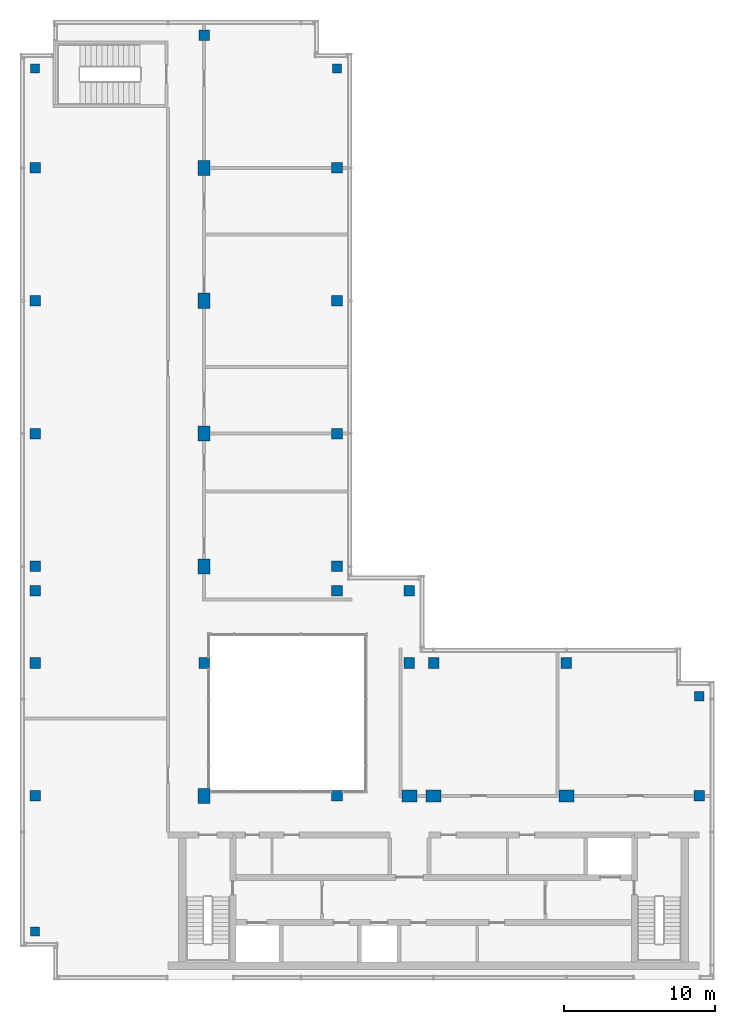
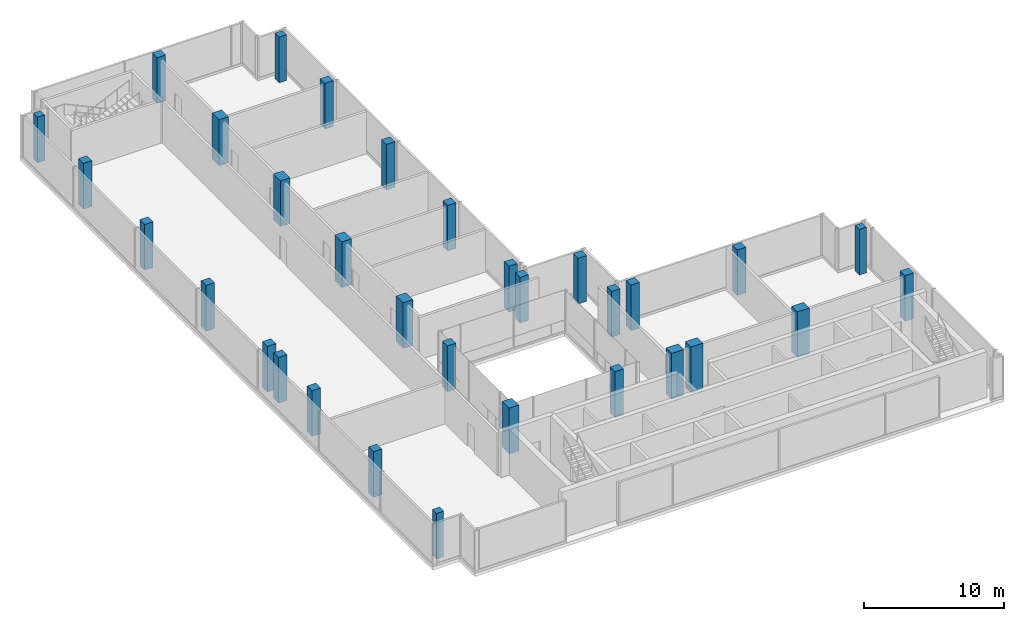
# One storey, part 1 of 11: 32 columns.
"""IFC4 building model written with IfcOpenShell, lengths in metres."""

import ifcopenshell
import ifcopenshell.guid

model = None  # the IFC model being written
_history = None  # IfcOwnerHistory: only IFC2X3 demands one
_inside = {}  # id of a spatial element -> (the spatial element, [elements in it])
_under = {}  # id of a project, library or spatial element -> (it, [spatial elements below it])
_declared = {}  # id of a project -> (the project, [libraries it declares])
_typed = {}  # id of a type object -> (the type object, [elements of that type])
_made_of = {}  # id of a material, layer set ... -> (it, [elements and type objects made of it])


def new_model(schema):
    """Start an empty IFC model of exactly this schema.

    Asked for "IFC4X3", IfcOpenShell would pick the latest addendum, in which some entities
    have other attributes; the version numbers below select the first issue.
    IFC2X3 requires an IfcOwnerHistory on every rooted entity: one is made here for all.
    """
    global model, _history
    if schema == "IFC4X3":
        model = ifcopenshell.file(schema_version=(4, 3, 0, 0))
    else:
        model = ifcopenshell.file(schema=schema)
    _inside.clear()
    _under.clear()
    _declared.clear()
    _typed.clear()
    _made_of.clear()
    _history = None
    if model.schema == "IFC2X3":
        org = make("IfcOrganization", Name="unknown")
        user = make(
            "IfcPersonAndOrganization",
            ThePerson=make("IfcPerson", FamilyName="unknown"),
            TheOrganization=org,
        )
        app = make(
            "IfcApplication",
            ApplicationDeveloper=org,
            Version="unknown",
            ApplicationFullName="unknown",
            ApplicationIdentifier="unknown",
        )
        _history = make(
            "IfcOwnerHistory",
            OwningUser=user,
            OwningApplication=app,
            ChangeAction="ADDED",
            CreationDate=0,
        )
    return model


def make(cls, **values):
    """One entity of the class cls with the attributes given. An attribute that is None is left unset."""
    return model.create_entity(
        cls, **{name: value for name, value in values.items() if value is not None}
    )


def rooted(cls, **values):
    """An entity with a GlobalId (a new one), such as an element, a storey or a relation."""
    return make(cls, GlobalId=ifcopenshell.guid.new(), OwnerHistory=_history, **values)


def si_unit(unit_type, name, prefix=None):
    """IfcSIUnit, for example si_unit("LENGTHUNIT", "METRE", prefix="MILLI")."""
    return make("IfcSIUnit", UnitType=unit_type, Prefix=prefix, Name=name)


def assignment(units):
    """IfcUnitAssignment: the units of a project."""
    return None if units is None else make("IfcUnitAssignment", Units=units)


def point(xyz):
    """IfcCartesianPoint."""
    return None if xyz is None else make("IfcCartesianPoint", Coordinates=xyz)


def direction(xyz):
    """IfcDirection."""
    return None if xyz is None else make("IfcDirection", DirectionRatios=xyz)


def frame(location, z_axis=None, x_axis=None):
    """IfcAxis2Placement3D, a coordinate frame: its origin and axes. An axis left out is left unset."""
    return make(
        "IfcAxis2Placement3D",
        Location=point(location),
        Axis=direction(z_axis),
        RefDirection=direction(x_axis),
    )


def frame_2d(location, x_axis=None):
    """IfcAxis2Placement2D, a coordinate frame in the plane: its origin and x axis."""
    return make(
        "IfcAxis2Placement2D", Location=point(location), RefDirection=direction(x_axis)
    )


def origin():
    """The frame at (0, 0, 0) with its axes left unset."""
    return frame((0.0, 0.0, 0.0))


def origin_2d():
    """The frame at (0, 0) in the plane with its x axis left unset."""
    return frame_2d((0.0, 0.0))


def place(relative_to, where):
    """IfcLocalPlacement: puts the frame where relative to a parent placement (None: the world)."""
    return make(
        "IfcLocalPlacement", PlacementRelTo=relative_to, RelativePlacement=where
    )


def context(
    kind, dimensions, precision=None, world=None, true_north=None, identifier=None
):
    """IfcGeometricRepresentationContext, for example the 3D "Model" context."""
    return make(
        "IfcGeometricRepresentationContext",
        ContextIdentifier=identifier,
        ContextType=kind,
        CoordinateSpaceDimension=dimensions,
        Precision=precision,
        WorldCoordinateSystem=world,
        TrueNorth=true_north,
    )


def subcontext(parent, identifier, kind, view, scale=None):
    """IfcGeometricRepresentationSubContext, for example "Body" below "Model"."""
    return make(
        "IfcGeometricRepresentationSubContext",
        ContextIdentifier=identifier,
        ContextType=kind,
        ParentContext=parent,
        TargetScale=scale,
        TargetView=view,
    )


def project(units=None, contexts=None):
    """IfcProject with its units and contexts."""
    return rooted(
        "IfcProject",
        Name="project",
        RepresentationContexts=contexts,
        UnitsInContext=assignment(units),
    )


def spatial(cls, under=None, at=None, **own):
    """A site, building, storey or space (cls), placed at a placement, below another one or the project."""
    s = rooted(cls, ObjectPlacement=at, **own)
    if under is not None:
        _under.setdefault(under.id(), (under, []))[1].append(s)
    return s


def profile(cls, at=None, kind="AREA", **sizes):
    """A parametric profile (cls). Its sizes go by their IFC names, for example OverallWidth=200.0."""
    return make(cls, ProfileType=kind, Position=at, **sizes)


def rectangle(**sizes):
    """IfcRectangleProfileDef."""
    return profile("IfcRectangleProfileDef", **sizes)


def extrude(swept, where, along, depth):
    """IfcExtrudedAreaSolid: the profile swept, set in the frame where, extruded along a direction by depth."""
    return make(
        "IfcExtrudedAreaSolid",
        SweptArea=swept,
        Position=where,
        ExtrudedDirection=direction(along),
        Depth=depth,
    )


def shape(context_of_items, identifier, shape_type, items):
    """IfcShapeRepresentation: the items that make up one representation, for example the "Body"."""
    return make(
        "IfcShapeRepresentation",
        ContextOfItems=context_of_items,
        RepresentationIdentifier=identifier,
        RepresentationType=shape_type,
        Items=items,
    )


def material(Name=None, Category=None):
    """IfcMaterial."""
    return make("IfcMaterial", Name=Name, Category=Category)


def material_profile(
    of_material, cross_section, Name=None, Category=None, Priority=None
):
    """IfcMaterialProfile: a cross section and its material."""
    return make(
        "IfcMaterialProfile",
        Name=Name,
        Material=of_material,
        Profile=cross_section,
        Priority=Priority,
        Category=Category,
    )


def profile_set(profiles, Name=None, composite=None):
    """IfcMaterialProfileSet."""
    return make(
        "IfcMaterialProfileSet",
        Name=Name,
        MaterialProfiles=profiles,
        CompositeProfile=composite,
    )


def made_of(thing, what):
    """Note that an element or type object is made of a material, layer set ...; save() writes the relation."""
    if what is not None:
        _made_of.setdefault(what.id(), (what, []))[1].append(thing)
    return thing


def type_object(cls, material=None, **own):
    """A type object (cls), such as IfcWallType, which elements share."""
    return made_of(rooted(cls, **own), material)


def element(
    cls,
    number,
    at=None,
    inside=None,
    cuts=None,
    type_object=None,
    material=None,
    context=None,
    identifier="Body",
    shape_type=None,
    held_by="IfcProductDefinitionShape",
    body=None,
    shapes=None,
    **own,
):
    """One element of the class cls, such as IfcWall. Its Tag is "e" and its number.

    at: its placement. inside: the storey or other place that contains it. cuts: it is an
    opening in that element (IfcRelVoidsElement). A single representation is given by context,
    identifier, shape_type and body (its items); several are given by shapes. held_by: the class
    of the entity that holds the representations. save() writes the other relations.
    """
    e = rooted(cls, Tag="e%d" % number, ObjectPlacement=at, **own)
    if body is not None:
        shapes = [shape(context, identifier, shape_type, body)]
    if shapes is not None:
        e.Representation = make(held_by, Representations=shapes)
    if inside is not None:
        _inside.setdefault(inside.id(), (inside, []))[1].append(e)
    if cuts is not None:
        rooted(
            "IfcRelVoidsElement", RelatingBuildingElement=cuts, RelatedOpeningElement=e
        )
    if type_object is not None:
        _typed.setdefault(type_object.id(), (type_object, []))[1].append(e)
    return made_of(e, material)


def aggregate(whole, parts):
    """IfcRelAggregates: a whole, such as a stair, and the parts it consists of."""
    return rooted("IfcRelAggregates", RelatingObject=whole, RelatedObjects=parts)


def save(model, path):
    """Write the relations noted so far, then the file.

    IfcRelAggregates (storeys below a building ...), IfcRelContainedInSpatialStructure (elements
    in a storey), IfcRelDefinesByType, IfcRelAssociatesMaterial and IfcRelDeclares: one each for
    every whole, place, type object, material and project.
    """
    for whole, parts in _under.values():
        aggregate(whole, parts)
    for where, things in _inside.values():
        rooted(
            "IfcRelContainedInSpatialStructure",
            RelatedElements=things,
            RelatingStructure=where,
        )
    for kind, things in _typed.values():
        rooted("IfcRelDefinesByType", RelatedObjects=things, RelatingType=kind)
    for what, things in _made_of.values():
        rooted("IfcRelAssociatesMaterial", RelatedObjects=things, RelatingMaterial=what)
    for by, libraries in _declared.values():
        rooted("IfcRelDeclares", RelatingContext=by, RelatedDefinitions=libraries)
    model.write(path)


model = new_model("IFC4")

# Units and contexts
model_context = context("Model", 3, precision=1e-05, world=origin(), true_north=direction((0.0, 1.0)))
body_context = subcontext(model_context, "Body", "Model", "MODEL_VIEW")
ifc_project = project(units=[si_unit("LENGTHUNIT", "METRE"), si_unit("AREAUNIT", "SQUARE_METRE"), si_unit("VOLUMEUNIT", "CUBIC_METRE"), si_unit("PLANEANGLEUNIT", "RADIAN"), si_unit("MASSUNIT", "GRAM", prefix="KILO")], contexts=[model_context])

# Site, building, storey
site_placement = place(None, origin())
site = spatial("IfcSite", under=ifc_project, at=site_placement, CompositionType="ELEMENT")
building_placement = place(site_placement, origin())
building = spatial("IfcBuilding", under=site, at=building_placement, Name="Kemantara Hotel Tower", CompositionType="ELEMENT")
storey_placement = place(building_placement, frame((0.0, 0.0, 326.199951171875)))
storey = spatial("IfcBuildingStorey", under=building, at=storey_placement, Name="L82", CompositionType="ELEMENT", Elevation=326.199951171875)

# Columns
ifc_material = material(Name="Concrete fc 50 MPa", Category="concrete")
ifc_material_profile_1 = material_profile(ifc_material, rectangle(XDim=1.0, YDim=0.800048828125, at=origin_2d()), Name="RC 1000X800")
ifc_profile_set_1 = profile_set([ifc_material_profile_1], Name="Concrete fc 50 MPa")
column_type_1 = type_object("IfcColumnType", Name="RC COLUMN 1000X800 FC50", PredefinedType="COLUMN", material=ifc_profile_set_1)
for number, where, z_axis, x_axis, name in (
    (1, (12.199951171875, 12.199951171875, 0.0), (0.0, 0.0, 1.0), (0.0, 1.0, 0.0), "COLUMN 2A/BA L82"),
    (2, (12.199951171875, 27.39990234375, 0.0), (0.0, 0.0, 1.0), (0.0, 1.0, 0.0), "COLUMN 2A/D L82"),
    (3, (12.199951171875, 36.199951171875, 0.0), (0.0, 0.0, 1.0), (0.0, 1.0, 0.0), "COLUMN 2A/E L82"),
    (4, (12.199951171875, 45.0, 0.0), (0.0, 0.0, 1.0), (0.0, 1.0, 0.0), "COLUMN 2A/F L82"),
    (5, (12.199951171875, 53.800048828125, 0.0), (0.0, 0.0, 1.0), (0.0, 1.0, 0.0), "COLUMN 2A/G L82"),
    (6, (25.800048828125, 12.199951171875, 0.0), (0.0, 0.0, 1.0), (1.0, 0.0, 0.0), "COLUMN 3A/BA L82"),
    (7, (27.39990234375, 12.199951171875, 0.0), (0.0, 0.0, 1.0), (1.0, 0.0, 0.0), "COLUMN 4/BA L82"),
    (8, (36.199951171875, 12.199951171875, 0.0), (0.0, 0.0, 1.0), (1.0, 0.0, 0.0), "COLUMN 5/BA L82"),
):
    element("IfcColumn", number, at=place(storey_placement, frame(where, z_axis=z_axis, x_axis=x_axis)), inside=storey, type_object=column_type_1, Name=name, PredefinedType="COLUMN", context=body_context, shape_type="SweptSolid", body=[
        extrude(rectangle(XDim=1.0, YDim=0.800048828125, at=origin_2d()), origin(), (0.0, 0.0, 1.0), 4.0),
    ])
ifc_material_profile_2 = material_profile(ifc_material, rectangle(XDim=0.60009765625, YDim=0.60009765625, at=origin_2d()), Name="RC 600X600")
ifc_profile_set_2 = profile_set([ifc_material_profile_2], Name="Concrete fc 50 MPa")
column_type_2 = type_object("IfcColumnType", Name="RC COLUMN 600X600 FC50", PredefinedType="COLUMN", material=ifc_profile_set_2)
for number, where, z_axis, x_axis, name in (
    (9, (1.0, 3.199951171875, 0.0), (0.0, 0.0, 1.0), (1.0, 0.0, 0.0), "COLUMN notch corner L82"),
    (10, (1.0, 60.39990234375, 0.0), (0.0, 0.0, 1.0), (1.0, 0.0, 0.0), "COLUMN notch corner L82"),
    (11, (21.0, 60.39990234375, 0.0), (0.0, 0.0, 1.0), (1.0, 0.0, 0.0), "COLUMN notch corner L82"),
    (12, (45.0, 18.800048828125, 0.0), (0.0, 0.0, 1.0), (1.0, 0.0, 0.0), "COLUMN notch corner L82"),
):
    element("IfcColumn", number, at=place(storey_placement, frame(where, z_axis=z_axis, x_axis=x_axis)), inside=storey, type_object=column_type_2, Name=name, PredefinedType="COLUMN", context=body_context, shape_type="SweptSolid", body=[
        extrude(rectangle(XDim=0.60009765625, YDim=0.60009765625, at=origin_2d()), origin(), (0.0, 0.0, 1.0), 4.0),
    ])
ifc_material_profile_3 = material_profile(ifc_material, rectangle(XDim=0.699951171875, YDim=0.699951171875, at=origin_2d()), Name="RC 700X700")
ifc_profile_set_3 = profile_set([ifc_material_profile_3], Name="Concrete fc 50 MPa")
column_type_3 = type_object("IfcColumnType", Name="RC COLUMN 700X700 FC50", PredefinedType="COLUMN", material=ifc_profile_set_3)
for number, where, z_axis, x_axis, name in (
    (13, (1.0, 12.199951171875, 0.0), (0.0, 0.0, 1.0), (1.0, 0.0, 0.0), "COLUMN 1/BA L82"),
    (14, (1.0, 21.0, 0.0), (0.0, 0.0, 1.0), (1.0, 0.0, 0.0), "COLUMN 1/C L82"),
    (15, (1.0, 25.800048828125, 0.0), (0.0, 0.0, 1.0), (1.0, 0.0, 0.0), "COLUMN 1/CA L82"),
    (16, (1.0, 27.39990234375, 0.0), (0.0, 0.0, 1.0), (1.0, 0.0, 0.0), "COLUMN 1/D L82"),
    (17, (1.0, 36.199951171875, 0.0), (0.0, 0.0, 1.0), (1.0, 0.0, 0.0), "COLUMN 1/E L82"),
    (18, (1.0, 45.0, 0.0), (0.0, 0.0, 1.0), (1.0, 0.0, 0.0), "COLUMN 1/F L82"),
    (19, (1.0, 53.800048828125, 0.0), (0.0, 0.0, 1.0), (1.0, 0.0, 0.0), "COLUMN 1/G L82"),
    (20, (12.199951171875, 21.0, 0.0), (0.0, 0.0, 1.0), (1.0, 0.0, 0.0), "COLUMN 2A/C L82"),
    (21, (12.199951171875, 62.60009765625, 0.0), (0.0, 0.0, 1.0), (1.0, 0.0, 0.0), "COLUMN 2A/H L82"),
    (22, (21.0, 12.199951171875, 0.0), (0.0, 0.0, 1.0), (1.0, 0.0, 0.0), "COLUMN 3/BA L82"),
    (23, (21.0, 25.800048828125, 0.0), (0.0, 0.0, 1.0), (1.0, 0.0, 0.0), "COLUMN 3/CA L82"),
    (24, (21.0, 27.39990234375, 0.0), (0.0, 0.0, 1.0), (1.0, 0.0, 0.0), "COLUMN 3/D L82"),
    (25, (21.0, 36.199951171875, 0.0), (0.0, 0.0, 1.0), (1.0, 0.0, 0.0), "COLUMN 3/E L82"),
    (26, (21.0, 45.0, 0.0), (0.0, 0.0, 1.0), (1.0, 0.0, 0.0), "COLUMN 3/F L82"),
    (27, (21.0, 53.800048828125, 0.0), (0.0, 0.0, 1.0), (1.0, 0.0, 0.0), "COLUMN 3/G L82"),
    (28, (25.800048828125, 21.0, 0.0), (0.0, 0.0, 1.0), (1.0, 0.0, 0.0), "COLUMN 3A/C L82"),
    (29, (25.800048828125, 25.800048828125, 0.0), (0.0, 0.0, 1.0), (1.0, 0.0, 0.0), "COLUMN 3A/CA L82"),
    (30, (27.39990234375, 21.0, 0.0), (0.0, 0.0, 1.0), (1.0, 0.0, 0.0), "COLUMN 4/C L82"),
    (31, (36.199951171875, 21.0, 0.0), (0.0, 0.0, 1.0), (1.0, 0.0, 0.0), "COLUMN 5/C L82"),
    (32, (45.0, 12.199951171875, 0.0), (0.0, 0.0, 1.0), (1.0, 0.0, 0.0), "COLUMN 6/BA L82"),
):
    element("IfcColumn", number, at=place(storey_placement, frame(where, z_axis=z_axis, x_axis=x_axis)), inside=storey, type_object=column_type_3, Name=name, PredefinedType="COLUMN", context=body_context, shape_type="SweptSolid", body=[
        extrude(rectangle(XDim=0.699951171875, YDim=0.699951171875, at=origin_2d()), origin(), (0.0, 0.0, 1.0), 4.0),
    ])

save(model, "model.ifc")
